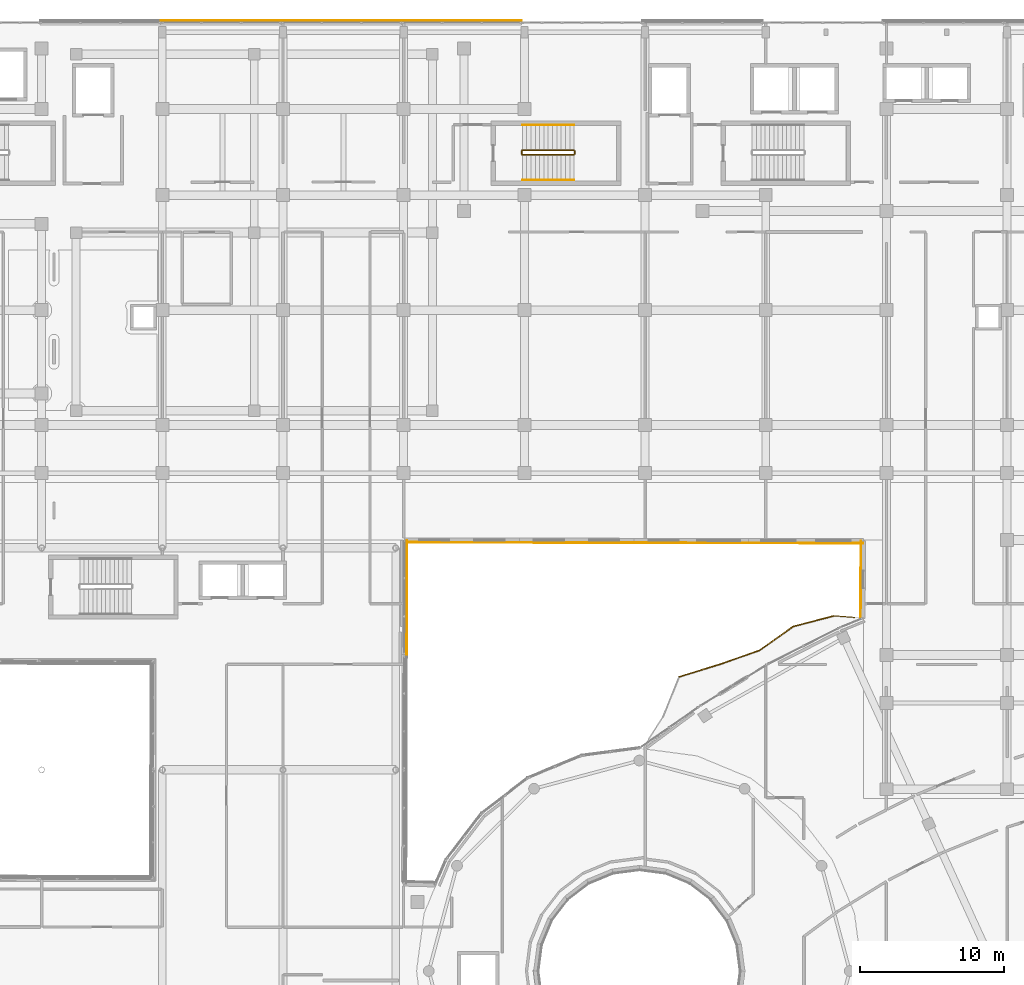
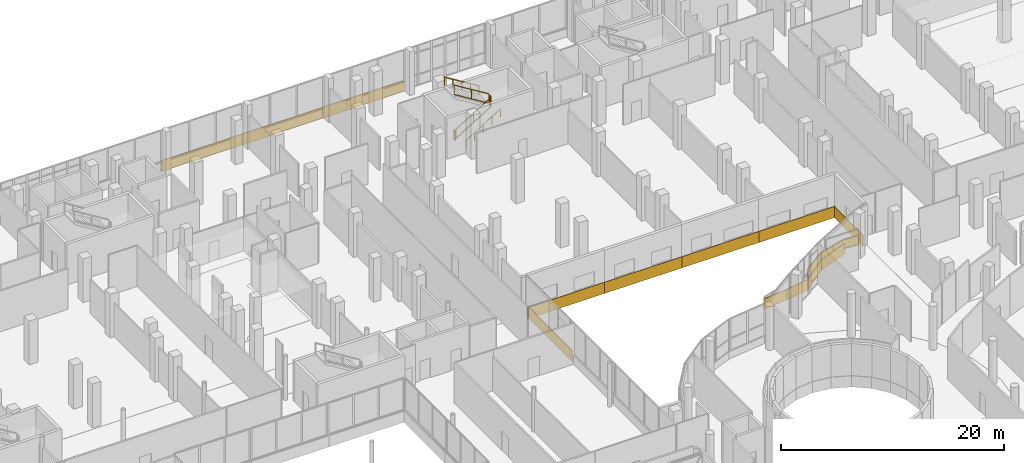
# One storey, part 164 of 168: 13 coverings, 7 railings.
"""IFC4 building model written with IfcOpenShell, lengths in metres."""

from ifc_helpers import new_model, si_unit, direction, frame, origin, origin_2d, place, context, subcontext, project, spatial, polyline, rectangle, circle, outline, extrude, material, layer, layer_set, type_object, element, save


model = new_model("IFC4")

# Units and contexts
model_context = context("Model", 3, precision=1e-05, world=origin(), true_north=direction((0.0, 1.0)))
body_context = subcontext(model_context, "Body", "Model", "MODEL_VIEW")
ifc_project = project(units=[si_unit("LENGTHUNIT", "METRE"), si_unit("AREAUNIT", "SQUARE_METRE"), si_unit("VOLUMEUNIT", "CUBIC_METRE"), si_unit("PLANEANGLEUNIT", "RADIAN"), si_unit("MASSUNIT", "GRAM", prefix="KILO")], contexts=[model_context])

# Site, building, storey
site_placement = place(None, origin())
site = spatial("IfcSite", under=ifc_project, at=site_placement, CompositionType="ELEMENT")
building_placement = place(site_placement, origin())
building = spatial("IfcBuilding", under=site, at=building_placement, Name="Selatvlak General Hospital", CompositionType="ELEMENT")
storey_placement = place(building_placement, frame((0.0, 0.0, 5.39990234375)))
storey = spatial("IfcBuildingStorey", under=building, at=storey_placement, Name="L01", CompositionType="ELEMENT", Elevation=5.39990234375)

# Coverings
ifc_material_1 = material(Name="PVDF aluminium fascia - ochre yellow", Category="aluminium")
ifc_layer_1 = layer(ifc_material_1, 0.070068359375, Name="PVDF aluminium fascia - ochre yellow", Category="aluminium")
ifc_layer_set_1 = layer_set([ifc_layer_1], Name="PVDF aluminium fascia - ochre yellow")
covering_type_1 = type_object("IfcCoveringType", Name="COV-RB-YEL", PredefinedType="CLADDING", material=ifc_layer_set_1)
covering_1_placement = place(storey_placement, frame((111.51904296875, 78.712890625, -0.52880859375), z_axis=(0.0, 0.0, 1.0), x_axis=(-0.967763810228, -0.251859499746, 0.0)))
element("IfcCovering", 1, at=covering_1_placement, inside=storey, type_object=covering_type_1, Name="L01 De Stijl waving fascia streamer 184", PredefinedType="CLADDING", context=body_context, shape_type="SweptSolid", body=[
    extrude(outline(polyline([(0.0, 0.0), (2.8984375, -0.35400390625), (2.8984375, 0.785888671875), (0.0, 1.139892578125), (0.0, 0.0)])), frame((0.0, 0.03515625, 0.0), z_axis=(0.0, -1.0, 0.0), x_axis=(1.0, 0.0, 0.0)), (0.0, 0.0, 1.0), 0.070068359375),
])
covering_2_placement = place(storey_placement, frame((108.714111328125, 77.98291015625, -0.8828125), z_axis=(0.0, 0.0, 1.0), x_axis=(-0.815300512717, -0.579038059167, 0.0)))
element("IfcCovering", 2, at=covering_2_placement, inside=storey, type_object=covering_type_1, Name="L01 De Stijl waving fascia streamer 185", PredefinedType="CLADDING", context=body_context, shape_type="SweptSolid", body=[
    extrude(outline(polyline([(0.0, 0.0), (2.87890625, -0.291015625), (2.87890625, 0.848876953125), (0.0, 1.139892578125), (0.0, 0.0)])), frame((0.0, 0.03515625, 0.0), z_axis=(0.0, -1.0, 0.0), x_axis=(1.0, 0.0, 0.0)), (0.0, 0.0, 1.0), 0.070068359375),
])
covering_3_placement = place(storey_placement, frame((106.367919921875, 76.31591796875, -1.173828125), z_axis=(0.0, 0.0, 1.0), x_axis=(-0.943962682076, -0.330052200187, 0.0)))
element("IfcCovering", 3, at=covering_3_placement, inside=storey, type_object=covering_type_1, Name="L01 De Stijl waving fascia streamer 186", PredefinedType="CLADDING", context=body_context, shape_type="SweptSolid", body=[
    extrude(outline(polyline([(0.0, 0.0), (2.91748046875, 0.43603515625), (2.91748046875, 1.575927734375), (0.0, 1.139892578125), (0.0, 0.0)])), frame((0.0, 0.03515625, 0.0), z_axis=(0.0, -1.0, 0.0), x_axis=(1.0, 0.0, 0.0)), (0.0, 0.0, 1.0), 0.070068359375),
])
covering_4_placement = place(storey_placement, frame((103.614013671875, 75.35302734375, -0.73779296875), z_axis=(0.0, 0.0, 1.0), x_axis=(-0.955218416606, -0.295901633279, 0.0)))
element("IfcCovering", 4, at=covering_4_placement, inside=storey, type_object=covering_type_1, Name="L01 De Stijl waving fascia streamer 187", PredefinedType="CLADDING", context=body_context, shape_type="SweptSolid", body=[
    extrude(outline(polyline([(0.0, 0.0), (2.994140625, 0.52197265625), (2.994140625, 1.661865234375), (0.0, 1.139892578125), (0.0, 0.0)])), frame((0.0, 0.03515625, 0.0), z_axis=(0.0, -1.0, 0.0), x_axis=(1.0, 0.0, 0.0)), (0.0, 0.0, 1.0), 0.070068359375),
])
ifc_material_2 = material(Name="White Bauhaus fair-faced cladding panel")
ifc_layer_2 = layer(ifc_material_2, 0.054931640625, Name="White Bauhaus fair-faced cladding panel")
ifc_layer_set_2 = layer_set([ifc_layer_2], Name="White Bauhaus fair-faced cladding panel")
covering_type_2 = type_object("IfcCoveringType", Name="COV-WHT1", PredefinedType="CLADDING", material=ifc_layer_set_2)
for number, where, z_axis, x_axis, name in (
    (5, (68.8701171875, 120.1640625, -0.27978515625), (0.0, 0.0, 1.0), (1.0, 0.0, 0.0), "L01 Bauhaus horizontal white spandrel band 0056"),
    (6, (77.25, 120.1640625, -0.27978515625), (0.0, 0.0, 1.0), (1.0, 0.0, 0.0), "L01 Bauhaus horizontal white spandrel band 0057"),
    (7, (85.6298828125, 120.1640625, -0.27978515625), (0.0, 0.0, 1.0), (1.0, 0.0, 0.0), "L01 Bauhaus horizontal white spandrel band 0058"),
):
    element("IfcCovering", number, at=place(storey_placement, frame(where, z_axis=z_axis, x_axis=x_axis)), inside=storey, type_object=covering_type_2, Name=name, PredefinedType="CLADDING", context=body_context, shape_type="SweptSolid", body=[
        extrude(rectangle(XDim=8.3798828125, YDim=0.054931640625, at=origin_2d()), origin(), (0.0, 0.0, 1.0), 1.219970703125),
    ])
covering_5_placement = place(storey_placement, frame((113.4169921875, 81.2470703125, -0.27978515625), z_axis=(0.0, 0.0, 1.0), x_axis=(0.006859090176, 0.999976476164, 0.0)))
element("IfcCovering", 8, at=covering_5_placement, inside=storey, type_object=covering_type_2, Name="L01 Bauhaus horizontal white spandrel band 0092", PredefinedType="CLADDING", context=body_context, shape_type="SweptSolid", body=[
    extrude(rectangle(XDim=5.387939453125, YDim=0.054931640625, at=origin_2d()), origin(), (0.0, 0.0, 1.0), 1.219970703125),
])
for number, where, z_axis, x_axis, name in (
    (9, (109.60693359375, 83.782958984375, -0.27978515625), (0.0, 0.0, 1.0), (-0.999998223472, 0.001884954476, 0.0), "L01 Bauhaus horizontal white spandrel band 0093"),
    (10, (101.6220703125, 83.798095703125, -0.27978515625), (0.0, 0.0, 1.0), (-0.999998223472, 0.001884954476, 0.0), "L01 Bauhaus horizontal white spandrel band 0094"),
    (11, (93.636962890625, 83.81298828125, -0.27978515625), (0.0, 0.0, 1.0), (-0.999998223472, 0.001884954476, 0.0), "L01 Bauhaus horizontal white spandrel band 0095"),
    (12, (85.652099609375, 83.827880859375, -0.27978515625), (0.0, 0.0, 1.0), (-0.999998223472, 0.001884954476, 0.0), "L01 Bauhaus horizontal white spandrel band 0096"),
):
    element("IfcCovering", number, at=place(storey_placement, frame(where, z_axis=z_axis, x_axis=x_axis)), inside=storey, type_object=covering_type_2, Name=name, PredefinedType="CLADDING", context=body_context, shape_type="SweptSolid", body=[
        extrude(rectangle(XDim=7.985107421875, YDim=0.054931640625, at=origin_2d()), origin(), (0.0, 0.0, 1.0), 1.219970703125),
    ])
covering_6_placement = place(storey_placement, frame((81.81494140625, 80.010009765625, -0.27978515625), z_axis=(0.0, 0.0, 1.0), x_axis=(-0.002513271477, -0.999996841728, 0.0)))
element("IfcCovering", 13, at=covering_6_placement, inside=storey, type_object=covering_type_2, Name="L01 Bauhaus horizontal white spandrel band 0097", PredefinedType="CLADDING", context=body_context, shape_type="SweptSolid", body=[
    extrude(rectangle(XDim=7.97998046875, YDim=0.054931640625, at=origin_2d()), origin(), (0.0, 0.0, 1.0), 1.219970703125),
])

# Railings
ifc_material_3 = material(Name="Stainless steel 316 safety balustrade", Category="steel")
railing_type_1 = type_object("IfcRailingType", Name="RAIL-BAL1", PredefinedType="BALUSTRADE", material=ifc_material_3)
railing_1_placement = place(storey_placement, frame((106.360107421875, 76.3291015625, 0.0)))
element("IfcRailing", 14, at=railing_1_placement, inside=storey, type_object=railing_type_1, Name="L01 continuous curved balcony balustrade 0012", PredefinedType="BALUSTRADE", context=body_context, shape_type="SweptSolid", body=[
    extrude(rectangle(XDim=0.068115234375, YDim=0.068115234375, at=origin_2d()), frame((0.00244140625, 0.001708984375, 1.0859375), z_axis=(0.815272076432, 0.579078096107, 0.0), x_axis=(-0.579078096107, 0.815272076432, 0.0)), (0.0, 0.0, 1.0), 2.872802734375),
    extrude(rectangle(XDim=0.068115234375, YDim=0.068115234375, at=origin_2d()), frame((0.00244140625, 0.001708984375, 0.049072265625), z_axis=(0.815272076432, 0.579078096107, 0.0), x_axis=(-0.579078096107, 0.815272076432, 0.0)), (0.0, 0.0, 1.0), 2.872802734375),
    extrude(outline(polyline([(0.0, 0.0), (2.86669921875, 0.0), (2.86669921875, 0.94189453125), (0.0, 0.94189453125), (0.0, 0.0)])), frame((-0.005615234375, 0.01806640625, 0.0849609375), z_axis=(0.579078096107, -0.815272076432, 0.0), x_axis=(0.815272076432, 0.579078096107, 0.0)), (0.0, 0.0, 1.0), 0.031982421875),
    extrude(rectangle(XDim=0.068115234375, YDim=0.068115234375, at=origin_2d()), frame((2.349853515625, 1.667724609375, 1.0859375), z_axis=(0.967763810228, 0.251859499746, 0.0), x_axis=(-0.251859499746, 0.967763810228, 0.0)), (0.0, 0.0, 1.0), 2.892578125),
    extrude(rectangle(XDim=0.068115234375, YDim=0.068115234375, at=origin_2d()), frame((2.349853515625, 1.667724609375, 0.049072265625), z_axis=(0.967763810228, 0.251859499746, 0.0), x_axis=(-0.251859499746, 0.967763810228, 0.0)), (0.0, 0.0, 1.0), 2.892578125),
    extrude(outline(polyline([(0.0, 0.0), (2.886474609375, 0.0), (2.886474609375, 0.94189453125), (0.0, 0.94189453125), (0.0, 0.0)])), frame((2.34814453125, 1.68603515625, 0.0849609375), z_axis=(0.251859499746, -0.967763810228, 0.0), x_axis=(0.967763810228, 0.251859499746, 0.0)), (0.0, 0.0, 1.0), 0.031982421875),
    extrude(rectangle(XDim=0.068115234375, YDim=0.068115234375, at=origin_2d()), frame((5.15478515625, 2.396728515625, 1.0859375), z_axis=(0.997134142228, -0.075653832702, 0.0), x_axis=(0.075653832702, 0.997134142228, 0.0)), (0.0, 0.0, 1.0), 1.46240234375),
    extrude(rectangle(XDim=0.068115234375, YDim=0.068115234375, at=origin_2d()), frame((5.15478515625, 2.396728515625, 0.049072265625), z_axis=(0.997134142228, -0.075653832702, 0.0), x_axis=(0.075653832702, 0.997134142228, 0.0)), (0.0, 0.0, 1.0), 1.46240234375),
    extrude(outline(polyline([(0.0, 0.0), (1.456298828125, 0.0), (1.456298828125, 0.94189453125), (0.0, 0.94189453125), (0.0, 0.0)])), frame((5.1591796875, 2.41455078125, 0.0849609375), z_axis=(-0.075653832702, -0.997134142228, 0.0), x_axis=(0.997134142228, -0.075653832702, 0.0)), (0.0, 0.0, 1.0), 0.031982421875),
    extrude(rectangle(XDim=0.055908203125, YDim=0.055908203125, at=origin_2d()), origin(), (0.0, 0.0, 1.0), 1.049072265625),
    extrude(rectangle(XDim=0.055908203125, YDim=0.055908203125, at=origin_2d()), frame((1.17333984375, 0.83349609375, 0.0)), (0.0, 0.0, 1.0), 1.049072265625),
    extrude(rectangle(XDim=0.055908203125, YDim=0.055908203125, at=origin_2d()), frame((2.346923828125, 1.6669921875, 0.0)), (0.0, 0.0, 1.0), 1.049072265625),
    extrude(rectangle(XDim=0.055908203125, YDim=0.055908203125, at=origin_2d()), frame((3.74951171875, 2.031982421875, 0.0)), (0.0, 0.0, 1.0), 1.049072265625),
    extrude(rectangle(XDim=0.055908203125, YDim=0.055908203125, at=origin_2d()), frame((5.15185546875, 2.39697265625, 0.0)), (0.0, 0.0, 1.0), 1.049072265625),
    extrude(rectangle(XDim=0.055908203125, YDim=0.055908203125, at=origin_2d()), frame((6.615966796875, 2.285888671875, 0.0)), (0.0, 0.0, 1.0), 1.049072265625),
])
ifc_material_4 = material(Name="Stainless steel 316 stair guard", Category="steel")
railing_type_2 = type_object("IfcRailingType", Name="RAIL-STG", PredefinedType="GUARDRAIL", material=ifc_material_4)
railing_2_placement = place(storey_placement, frame((89.860107421875, 110.81005859375, 0.184814453125)))
element("IfcRailing", 15, at=railing_2_placement, inside=storey, type_object=railing_type_2, Name="L01 ST-02 stair guard 1", PredefinedType="GUARDRAIL", context=body_context, shape_type="SweptSolid", body=[
    extrude(rectangle(XDim=0.068115234375, YDim=0.068115234375, at=origin_2d()), frame((0.00244140625, 0.0, 1.067626953125), z_axis=(0.851654350407, 0.0, 0.524103870844), x_axis=(0.0, 1.0, 0.0)), (0.0, 0.0, 1.0), 4.220947265625),
    extrude(rectangle(XDim=0.068115234375, YDim=0.068115234375, at=origin_2d()), frame((0.00244140625, 0.0, 0.050537109375), z_axis=(0.851654350407, 0.0, 0.524103870844), x_axis=(0.0, 1.0, 0.0)), (0.0, 0.0, 1.0), 4.220947265625),
    extrude(rectangle(XDim=0.055908203125, YDim=0.055908203125, at=origin_2d()), origin(), (0.0, 0.0, 1.0), 1.029052734375),
    extrude(rectangle(XDim=0.055908203125, YDim=0.055908203125, at=origin_2d()), frame((1.7998046875, 0.0, 1.107666015625)), (0.0, 0.0, 1.0), 1.029052734375),
    extrude(rectangle(XDim=0.055908203125, YDim=0.055908203125, at=origin_2d()), frame((3.599853515625, 0.0, 2.21533203125)), (0.0, 0.0, 1.0), 1.029052734375),
])
railing_3_placement = place(storey_placement, frame((93.510009765625, 110.860107421875, 2.400146484375)))
element("IfcRailing", 16, at=railing_3_placement, inside=storey, type_object=railing_type_2, Name="L01 ST-02 stair guard 2", PredefinedType="GUARDRAIL", context=body_context, shape_type="SweptSolid", body=[
    extrude(rectangle(XDim=0.068115234375, YDim=0.068115234375, at=origin_2d()), frame((0.0, 0.0029296875, 1.06591796875), z_axis=(0.0, 1.0, 0.0), x_axis=(-1.0, 0.0, 0.0)), (0.0, 0.0, 1.0), 0.214111328125),
    extrude(rectangle(XDim=0.068115234375, YDim=0.068115234375, at=origin_2d()), frame((0.0, 0.0029296875, 0.049072265625), z_axis=(0.0, 1.0, 0.0), x_axis=(-1.0, 0.0, 0.0)), (0.0, 0.0, 1.0), 0.214111328125),
    extrude(rectangle(XDim=0.055908203125, YDim=0.055908203125, at=origin_2d()), origin(), (0.0, 0.0, 1.0), 1.029052734375),
    extrude(rectangle(XDim=0.055908203125, YDim=0.055908203125, at=origin_2d()), frame((0.0, 0.219970703125, 0.0)), (0.0, 0.0, 1.0), 1.029052734375),
])
railing_4_placement = place(storey_placement, frame((93.4599609375, 111.1298828125, 2.584716796875)))
element("IfcRailing", 17, at=railing_4_placement, inside=storey, type_object=railing_type_2, Name="L01 ST-02 stair guard 3", PredefinedType="GUARDRAIL", context=body_context, shape_type="SweptSolid", body=[
    extrude(rectangle(XDim=0.068115234375, YDim=0.068115234375, at=origin_2d()), frame((-0.00244140625, 0.0, 1.067626953125), z_axis=(-0.851654350407, 0.0, 0.524103870844), x_axis=(0.0, -1.0, 0.0)), (0.0, 0.0, 1.0), 4.220947265625),
    extrude(rectangle(XDim=0.068115234375, YDim=0.068115234375, at=origin_2d()), frame((-0.00244140625, 0.0, 0.050537109375), z_axis=(-0.851654350407, 0.0, 0.524103870844), x_axis=(0.0, -1.0, 0.0)), (0.0, 0.0, 1.0), 4.220947265625),
    extrude(rectangle(XDim=0.055908203125, YDim=0.055908203125, at=origin_2d()), origin(), (0.0, 0.0, 1.0), 1.029052734375),
    extrude(rectangle(XDim=0.055908203125, YDim=0.055908203125, at=origin_2d()), frame((-1.7998046875, 0.0, 1.107666015625)), (0.0, 0.0, 1.0), 1.029052734375),
    extrude(rectangle(XDim=0.055908203125, YDim=0.055908203125, at=origin_2d()), frame((-3.599853515625, 0.0, 2.21533203125)), (0.0, 0.0, 1.0), 1.029052734375),
])
railing_5_placement = place(storey_placement, frame((89.81005859375, 110.860107421875, 0.0)))
element("IfcRailing", 18, at=railing_5_placement, inside=storey, type_object=railing_type_2, Name="L01 ST-02 stair guard 4", PredefinedType="GUARDRAIL", context=body_context, shape_type="SweptSolid", body=[
    extrude(rectangle(XDim=0.068115234375, YDim=0.068115234375, at=origin_2d()), frame((0.0, 0.0029296875, 1.06591796875), z_axis=(0.0, 1.0, 0.0), x_axis=(-1.0, 0.0, 0.0)), (0.0, 0.0, 1.0), 0.214111328125),
    extrude(rectangle(XDim=0.068115234375, YDim=0.068115234375, at=origin_2d()), frame((0.0, 0.0029296875, 0.049072265625), z_axis=(0.0, 1.0, 0.0), x_axis=(-1.0, 0.0, 0.0)), (0.0, 0.0, 1.0), 0.214111328125),
    extrude(rectangle(XDim=0.055908203125, YDim=0.055908203125, at=origin_2d()), origin(), (0.0, 0.0, 1.0), 1.029052734375),
    extrude(rectangle(XDim=0.055908203125, YDim=0.055908203125, at=origin_2d()), frame((0.0, 0.219970703125, 0.0)), (0.0, 0.0, 1.0), 1.029052734375),
])
ifc_material_5 = material(Name="Stainless steel 316 handrail", Category="steel")
railing_type_3 = type_object("IfcRailingType", Name="RAIL-STH", PredefinedType="HANDRAIL", material=ifc_material_5)
railing_6_placement = place(storey_placement, frame((89.860107421875, 109.050048828125, 0.184814453125)))
element("IfcRailing", 19, at=railing_6_placement, inside=storey, type_object=railing_type_3, Name="L01 ST-02 stair handrail 1", PredefinedType="HANDRAIL", context=body_context, shape_type="SweptSolid", body=[
    extrude(circle(Radius=0.02392578125, at=origin_2d()), frame((0.00244140625, 0.0, 0.87744140625), z_axis=(0.851654350407, 0.0, 0.524103870844), x_axis=(0.0, 1.0, 0.0)), (0.0, 0.0, 1.0), 4.220947265625),
    extrude(circle(Radius=0.02099609375, at=origin_2d()), origin(), (0.0, 0.0, 1.0), 0.848876953125),
    extrude(circle(Radius=0.02099609375, at=origin_2d()), frame((0.89990234375, 0.0, 0.5537109375)), (0.0, 0.0, 1.0), 0.848876953125),
    extrude(circle(Radius=0.02099609375, at=origin_2d()), frame((1.7998046875, 0.0, 1.107666015625)), (0.0, 0.0, 1.0), 0.848876953125),
    extrude(circle(Radius=0.02099609375, at=origin_2d()), frame((2.699951171875, 0.0, 1.66162109375)), (0.0, 0.0, 1.0), 0.848876953125),
    extrude(circle(Radius=0.02099609375, at=origin_2d()), frame((3.599853515625, 0.0, 2.21533203125)), (0.0, 0.0, 1.0), 0.848876953125),
])
railing_7_placement = place(storey_placement, frame((93.4599609375, 112.889892578125, 2.584716796875)))
element("IfcRailing", 20, at=railing_7_placement, inside=storey, type_object=railing_type_3, Name="L01 ST-02 stair handrail 2", PredefinedType="HANDRAIL", context=body_context, shape_type="SweptSolid", body=[
    extrude(circle(Radius=0.02392578125, at=origin_2d()), frame((-0.00244140625, 0.0, 0.87744140625), z_axis=(-0.851654350407, 0.0, 0.524103870844), x_axis=(0.0, -1.0, 0.0)), (0.0, 0.0, 1.0), 4.220947265625),
    extrude(circle(Radius=0.02099609375, at=origin_2d()), origin(), (0.0, 0.0, 1.0), 0.848876953125),
    extrude(circle(Radius=0.02099609375, at=origin_2d()), frame((-0.89990234375, 0.0, 0.5537109375)), (0.0, 0.0, 1.0), 0.848876953125),
    extrude(circle(Radius=0.02099609375, at=origin_2d()), frame((-1.7998046875, 0.0, 1.107666015625)), (0.0, 0.0, 1.0), 0.848876953125),
    extrude(circle(Radius=0.02099609375, at=origin_2d()), frame((-2.699951171875, 0.0, 1.66162109375)), (0.0, 0.0, 1.0), 0.848876953125),
    extrude(circle(Radius=0.02099609375, at=origin_2d()), frame((-3.599853515625, 0.0, 2.21533203125)), (0.0, 0.0, 1.0), 0.848876953125),
])

save(model, "model.ifc")
